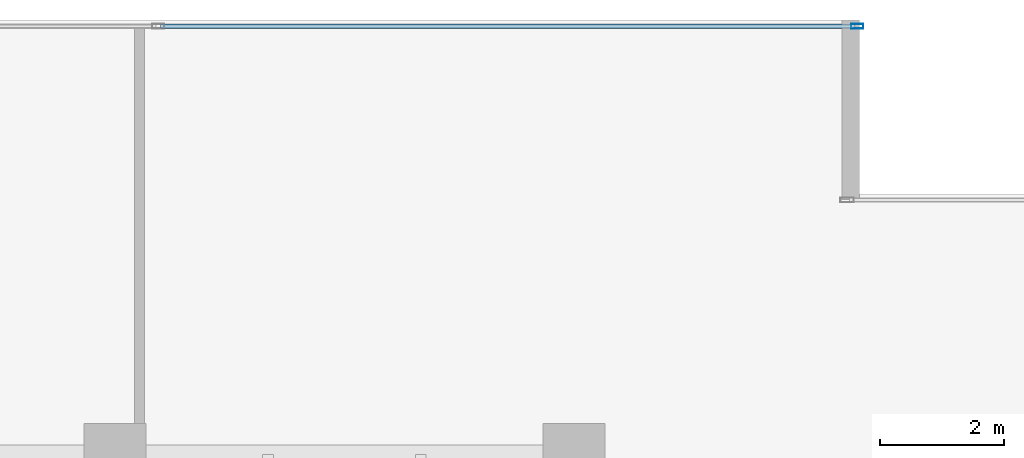
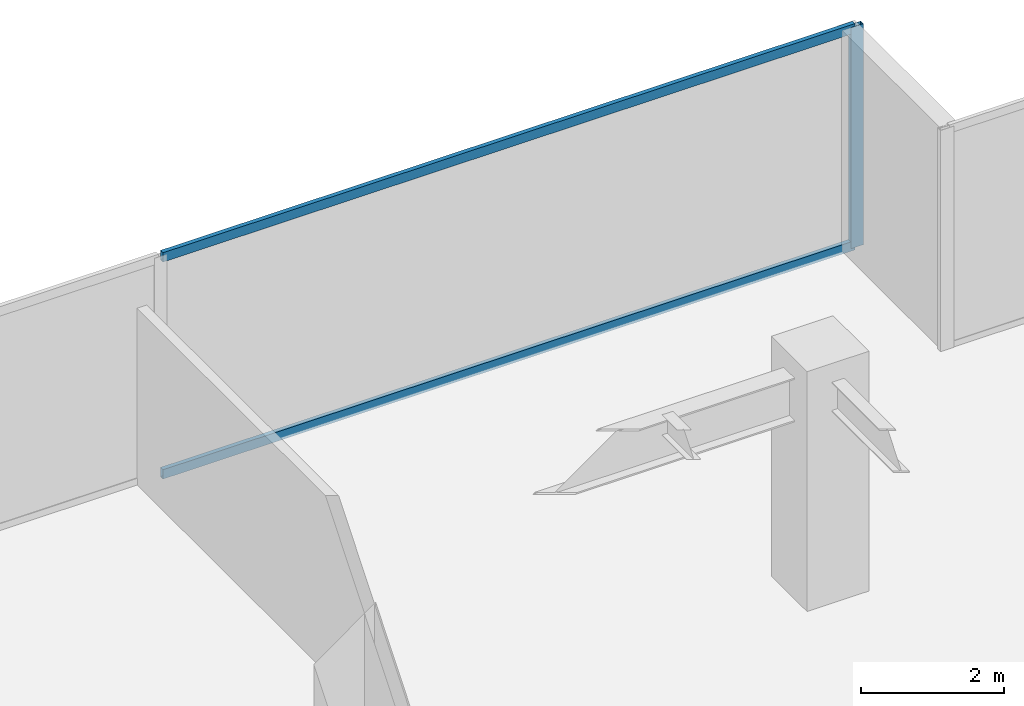
# One storey, part 27 of 35: 3 members, 1 element without a shape of its own.
"""IFC4 building model written with IfcOpenShell, lengths in metres."""

from ifc_helpers import new_model, si_unit, direction, frame, origin, origin_2d, place, context, subcontext, project, spatial, hollow_rectangle, extrude, source, transform, mapped, material, layer, layer_set, material_profile, profile_set, type_object, type_shapes, element, aggregate, save


model = new_model("IFC4")

# Units and contexts
model_context = context("Model", 3, precision=1e-05, world=origin(), true_north=direction((0.0, 1.0)))
body_context = subcontext(model_context, "Body", "Model", "MODEL_VIEW")
ifc_project = project(units=[si_unit("LENGTHUNIT", "METRE"), si_unit("AREAUNIT", "SQUARE_METRE"), si_unit("VOLUMEUNIT", "CUBIC_METRE"), si_unit("PLANEANGLEUNIT", "RADIAN"), si_unit("MASSUNIT", "GRAM", prefix="KILO")], contexts=[model_context])

# Site, building, storey
site_placement = place(None, origin())
site = spatial("IfcSite", under=ifc_project, at=site_placement, CompositionType="ELEMENT")
building_placement = place(site_placement, origin())
building = spatial("IfcBuilding", under=site, at=building_placement, Name="Haelvirn Gate Laboratories", CompositionType="ELEMENT")
storey_placement = place(building_placement, frame((0.0, 0.0, 66.199951171875)))
storey = spatial("IfcBuildingStorey", under=building, at=storey_placement, Name="L16", CompositionType="ELEMENT", Elevation=66.199951171875)

# Curtain wall, members
ifc_material_1 = material(Name="Anodised bronze unitised aluminium & triple low-E glass", Category="aluminium")
ifc_layer = layer(ifc_material_1, 0.18408203125, Name="CW-SYS-2")
ifc_layer_set = layer_set([ifc_layer], Name="Anodised bronze unitised aluminium & triple low-E glass")
curtain_wall_type = type_object("IfcCurtainWallType", Name="CW-SYS-2", PredefinedType="NOTDEFINED", material=ifc_layer_set)
curtain_wall_placement = place(storey_placement, origin())
curtain_wall = element("IfcCurtainWall", 1, at=curtain_wall_placement, inside=storey, type_object=curtain_wall_type, Name="L16 Unitised Curtain Wall CW-L16-P0-E10-1", PredefinedType="NOTDEFINED")
ifc_material_2 = material(Name="Extruded aluminium 6063-T6 (anodised bronze)", Category="aluminium")
ifc_material_profile_1 = material_profile(ifc_material_2, hollow_rectangle(XDim=0.074951171875, YDim=0.199951171875, WallThickness=0.0048828125, at=origin_2d()), Name="CWM-200x75x5")
ifc_profile_set_1 = profile_set([ifc_material_profile_1], Name="Extruded aluminium 6063-T6 (anodised bronze)")
member_type_1 = type_object("IfcMemberType", Name="CWM-T200", PredefinedType="MULLION", material=ifc_profile_set_1)
shared_shape_1 = source(origin(), body_context, "Body", "SweptSolid", [
    extrude(hollow_rectangle(XDim=0.074951171875, YDim=0.199951171875, WallThickness=0.0048828125, at=origin_2d()), origin(), (0.0, 0.0, 1.0), 3.780029296875),
])
type_shapes(member_type_1, [shared_shape_1])
member_1_placement = place(storey_placement, frame((71.96240234375, 48.5, 0.0), z_axis=(0.0, 0.0, 1.0), x_axis=(0.0, 1.0, 0.0)))
member_1 = element("IfcMember", 2, at=member_1_placement, type_object=member_type_1, Name="CW2 mullion 3", PredefinedType="MULLION", context=body_context, shape_type="MappedRepresentation", body=[
    mapped(shared_shape_1, transform((0.0, 0.0, 0.0), scale=1.0)),
])
ifc_material_profile_2 = material_profile(ifc_material_2, hollow_rectangle(XDim=0.070068359375, YDim=0.159912109375, WallThickness=0.0048828125, at=origin_2d()), Name="CWT-160x70x5")
ifc_profile_set_2 = profile_set([ifc_material_profile_2], Name="Extruded aluminium 6063-T6 (anodised bronze)")
member_type_2 = type_object("IfcMemberType", Name="CWT-T160", PredefinedType="USERDEFINED", material=ifc_profile_set_2)
shared_shape_2 = source(origin(), body_context, "Body", "SweptSolid", [
    extrude(hollow_rectangle(XDim=0.070068359375, YDim=0.159912109375, WallThickness=0.0048828125, at=origin_2d()), origin(), (0.0, 0.0, 1.0), 11.1875),
])
type_shapes(member_type_2, [shared_shape_2])
member_2_placement = place(storey_placement, frame((60.737548828125, 48.5, 0.03515625), z_axis=(1.0, 0.0, 0.0), x_axis=(0.0, 1.0, 0.0)))
member_2 = element("IfcMember", 3, at=member_2_placement, type_object=member_type_2, Name="CW2 transom 2.1", ObjectType="TRANSOM", PredefinedType="USERDEFINED", context=body_context, shape_type="MappedRepresentation", body=[
    mapped(shared_shape_2, transform((0.0, 0.0, 0.0), scale=1.0)),
])
member_3_placement = place(storey_placement, frame((60.737548828125, 48.5, 3.7451171875), z_axis=(1.0, 0.0, 0.0), x_axis=(0.0, 1.0, 0.0)))
member_3 = element("IfcMember", 4, at=member_3_placement, type_object=member_type_2, Name="CW2 transom 2.2", ObjectType="TRANSOM", PredefinedType="USERDEFINED", context=body_context, shape_type="MappedRepresentation", body=[
    mapped(shared_shape_2, transform((0.0, 0.0, 0.0), scale=1.0)),
])
aggregate(curtain_wall, [member_1, member_2, member_3])

save(model, "model.ifc")
